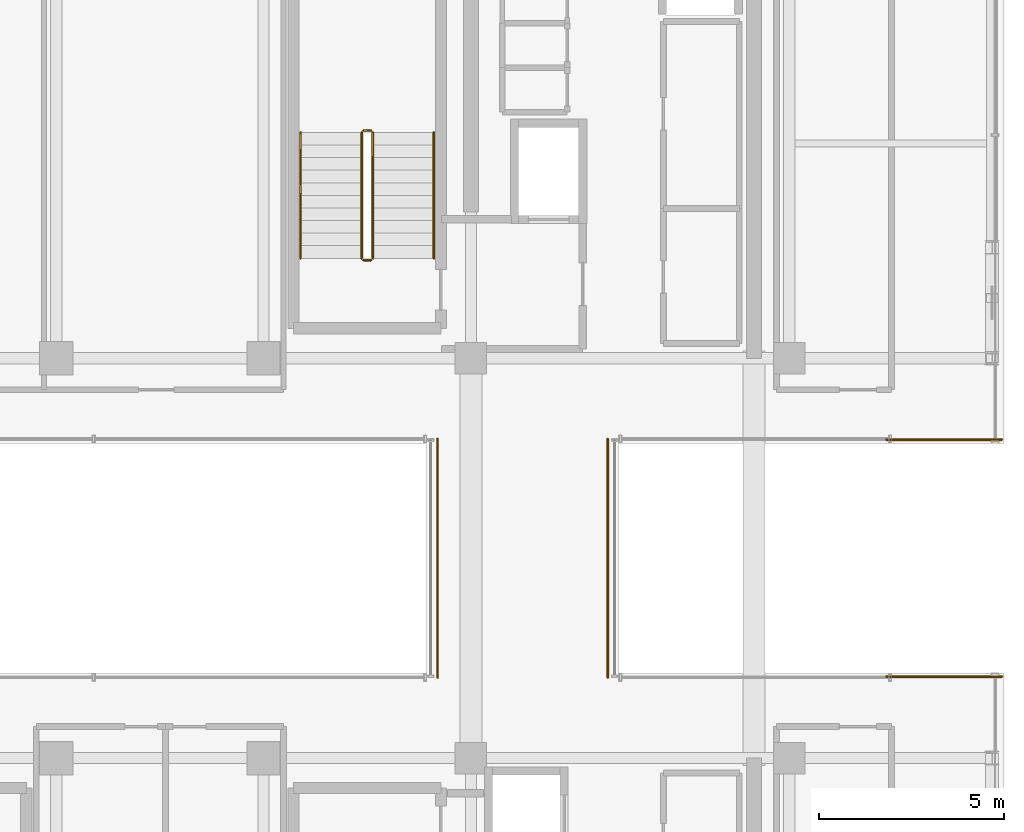
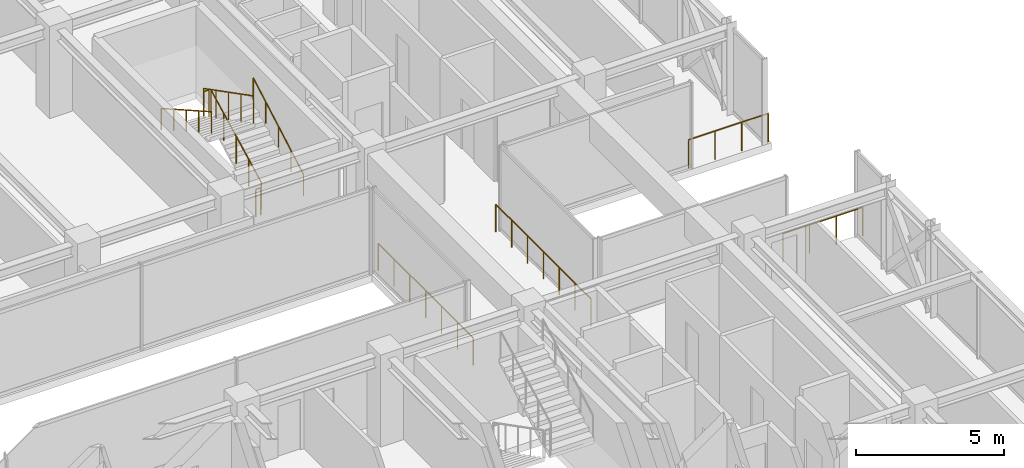
# One storey, part 36 of 37: 10 railings.
"""IFC4 building model written with IfcOpenShell, lengths in metres."""

from ifc_helpers import new_model, si_unit, direction, frame, origin, origin_2d, place, context, subcontext, project, spatial, circle, extrude, material, type_object, element, save


model = new_model("IFC4")

# Units and contexts
model_context = context("Model", 3, precision=1e-05, world=origin(), true_north=direction((0.0, 1.0)))
body_context = subcontext(model_context, "Body", "Model", "MODEL_VIEW")
ifc_project = project(units=[si_unit("LENGTHUNIT", "METRE"), si_unit("AREAUNIT", "SQUARE_METRE"), si_unit("VOLUMEUNIT", "CUBIC_METRE"), si_unit("PLANEANGLEUNIT", "RADIAN"), si_unit("MASSUNIT", "GRAM", prefix="KILO")], contexts=[model_context])

# Site, building, storey
site_placement = place(None, origin())
site = spatial("IfcSite", under=ifc_project, at=site_placement, CompositionType="ELEMENT")
building_placement = place(site_placement, origin())
building = spatial("IfcBuilding", under=site, at=building_placement, Name="Nahalor Promenade Grand Hotel", CompositionType="ELEMENT")
storey_placement = place(building_placement, frame((0.0, 0.0, 292.64990234375)))
storey = spatial("IfcBuildingStorey", under=building, at=storey_placement, Name="L75", CompositionType="ELEMENT", Elevation=292.64990234375)

# Railings
ifc_material_1 = material(Name="Anodised Bronze Aluminium EN AW-6063 T6", Category="aluminium")
railing_type_1 = type_object("IfcRailingType", Name="Bronze Balcony Guardrail 1200 mm", PredefinedType="GUARDRAIL", material=ifc_material_1)
for number, where, name in (
    (1, (19.6201171875, -3.199951171875, 0.0), "L75 Oculus Void Edge Guardrail ES"),
    (2, (19.6201171875, 3.199951171875, 0.0), "L75 Oculus Void Edge Guardrail EN"),
):
    element("IfcRailing", number, at=place(storey_placement, frame(where)), inside=storey, type_object=railing_type_1, Name=name, PredefinedType="GUARDRAIL", context=body_context, shape_type="SweptSolid", body=[
        extrude(circle(Radius=0.024048, at=origin_2d()), frame((0.0, 0.0, 1.17578125), z_axis=(1.0, 0.0, 0.0), x_axis=(0.0, 1.0, 0.0)), (0.0, 0.0, 1.0), 3.119873046875),
        extrude(circle(Radius=0.020996, at=origin_2d()), origin(), (0.0, 0.0, 1.0), 1.14990234375),
        extrude(circle(Radius=0.020996, at=origin_2d()), frame((1.0400390625, 0.0, 0.0)), (0.0, 0.0, 1.0), 1.14990234375),
        extrude(circle(Radius=0.020996, at=origin_2d()), frame((2.079833984375, 0.0, 0.0)), (0.0, 0.0, 1.0), 1.14990234375),
        extrude(circle(Radius=0.020996, at=origin_2d()), frame((3.119873046875, 0.0, 0.0)), (0.0, 0.0, 1.0), 1.14990234375),
    ])
railing_type_2 = type_object("IfcRailingType", Name="Bronze Sky Balustrade 1150 mm", PredefinedType="BALUSTRADE", material=ifc_material_1)
for number, where, name in (
    (3, (7.5, -3.219970703125, 0.0), "BL-L75-BRG-W"),
    (4, (12.10009765625, -3.219970703125, 0.0), "BL-L75-BRG-E"),
):
    element("IfcRailing", number, at=place(storey_placement, frame(where)), inside=storey, type_object=railing_type_2, Name=name, PredefinedType="BALUSTRADE", context=body_context, shape_type="SweptSolid", body=[
        extrude(circle(Radius=0.024048, at=origin_2d()), frame((0.0, 0.0, 1.1259765625), z_axis=(0.0, 1.0, 0.0), x_axis=(-1.0, 0.0, 0.0)), (0.0, 0.0, 1.0), 6.43994140625),
        extrude(circle(Radius=0.020996, at=origin_2d()), origin(), (0.0, 0.0, 1.0), 1.099853515625),
        extrude(circle(Radius=0.020996, at=origin_2d()), frame((0.0, 1.0732421875, 0.0)), (0.0, 0.0, 1.0), 1.099853515625),
        extrude(circle(Radius=0.020996, at=origin_2d()), frame((0.0, 2.146728515625, 0.0)), (0.0, 0.0, 1.0), 1.099853515625),
        extrude(circle(Radius=0.020996, at=origin_2d()), frame((0.0, 3.219970703125, 0.0)), (0.0, 0.0, 1.0), 1.099853515625),
        extrude(circle(Radius=0.020996, at=origin_2d()), frame((0.0, 4.293212890625, 0.0)), (0.0, 0.0, 1.0), 1.099853515625),
        extrude(circle(Radius=0.020996, at=origin_2d()), frame((0.0, 5.36669921875, 0.0)), (0.0, 0.0, 1.0), 1.099853515625),
        extrude(circle(Radius=0.020996, at=origin_2d()), frame((0.0, 6.43994140625, 0.0)), (0.0, 0.0, 1.0), 1.099853515625),
    ])
ifc_material_2 = material(Name="Steel S355JR", Category="steel")
railing_type_3 = type_object("IfcRailingType", Name="Steel Stair Guardrail 1150 mm", PredefinedType="GUARDRAIL", material=ifc_material_2)
railing_1_placement = place(storey_placement, frame((5.75, 8.10009765625, 0.175048828125)))
element("IfcRailing", 5, at=railing_1_placement, inside=storey, type_object=railing_type_3, Name="L75 ST1 stair guard 1", PredefinedType="GUARDRAIL", context=body_context, shape_type="SweptSolid", body=[
    extrude(circle(Radius=0.024048, at=origin_2d()), frame((0.0, 0.0, 1.1259765625), z_axis=(0.0, 0.889130461562, 0.457653823673), x_axis=(-1.0, 0.0, 0.0)), (0.0, 0.0, 1.0), 3.82373046875),
    extrude(circle(Radius=0.020996, at=origin_2d()), origin(), (0.0, 0.0, 1.0), 1.099853515625),
    extrude(circle(Radius=0.020996, at=origin_2d()), frame((0.0, 0.85009765625, 0.4375)), (0.0, 0.0, 1.0), 1.099853515625),
    extrude(circle(Radius=0.020996, at=origin_2d()), frame((0.0, 1.699951171875, 0.875)), (0.0, 0.0, 1.0), 1.099853515625),
    extrude(circle(Radius=0.020996, at=origin_2d()), frame((0.0, 2.5498046875, 1.3125)), (0.0, 0.0, 1.0), 1.099853515625),
    extrude(circle(Radius=0.020996, at=origin_2d()), frame((0.0, 3.39990234375, 1.75)), (0.0, 0.0, 1.0), 1.099853515625),
])
railing_2_placement = place(storey_placement, frame((5.699951171875, 11.550048828125, 1.925048828125)))
element("IfcRailing", 6, at=railing_2_placement, inside=storey, type_object=railing_type_3, Name="L75 ST1 stair guard 2", PredefinedType="GUARDRAIL", context=body_context, shape_type="SweptSolid", body=[
    extrude(circle(Radius=0.024048, at=origin_2d()), frame((0.0, 0.0, 1.1259765625), z_axis=(-1.0, 0.0, 0.0), x_axis=(0.0, -1.0, 0.0)), (0.0, 0.0, 1.0), 0.199951171875),
    extrude(circle(Radius=0.020996, at=origin_2d()), origin(), (0.0, 0.0, 1.0), 1.099853515625),
    extrude(circle(Radius=0.020996, at=origin_2d()), frame((-0.199951171875, 0.0, 0.0)), (0.0, 0.0, 1.0), 1.099853515625),
])
railing_3_placement = place(storey_placement, frame((5.449951171875, 11.5, 2.10009765625)))
element("IfcRailing", 7, at=railing_3_placement, inside=storey, type_object=railing_type_3, Name="L75 ST1 stair guard 3", PredefinedType="GUARDRAIL", context=body_context, shape_type="SweptSolid", body=[
    extrude(circle(Radius=0.024048, at=origin_2d()), frame((0.0, 0.0, 1.1259765625), z_axis=(0.0, -0.889130461562, 0.457653823673), x_axis=(1.0, 0.0, 0.0)), (0.0, 0.0, 1.0), 3.82373046875),
    extrude(circle(Radius=0.020996, at=origin_2d()), origin(), (0.0, 0.0, 1.0), 1.099853515625),
    extrude(circle(Radius=0.020996, at=origin_2d()), frame((0.0, -0.85009765625, 0.4375)), (0.0, 0.0, 1.0), 1.099853515625),
    extrude(circle(Radius=0.020996, at=origin_2d()), frame((0.0, -1.699951171875, 0.875)), (0.0, 0.0, 1.0), 1.099853515625),
    extrude(circle(Radius=0.020996, at=origin_2d()), frame((0.0, -2.5498046875, 1.3125)), (0.0, 0.0, 1.0), 1.099853515625),
    extrude(circle(Radius=0.020996, at=origin_2d()), frame((0.0, -3.39990234375, 1.75)), (0.0, 0.0, 1.0), 1.099853515625),
])
railing_4_placement = place(storey_placement, frame((5.699951171875, 8.050048828125, 0.0)))
element("IfcRailing", 8, at=railing_4_placement, inside=storey, type_object=railing_type_3, Name="L75 ST1 stair guard 4", PredefinedType="GUARDRAIL", context=body_context, shape_type="SweptSolid", body=[
    extrude(circle(Radius=0.024048, at=origin_2d()), frame((0.0, 0.0, 1.1259765625), z_axis=(-1.0, 0.0, 0.0), x_axis=(0.0, -1.0, 0.0)), (0.0, 0.0, 1.0), 0.199951171875),
    extrude(circle(Radius=0.020996, at=origin_2d()), origin(), (0.0, 0.0, 1.0), 1.099853515625),
    extrude(circle(Radius=0.020996, at=origin_2d()), frame((-0.199951171875, 0.0, 0.0)), (0.0, 0.0, 1.0), 1.099853515625),
])
railing_type_4 = type_object("IfcRailingType", Name="Steel Stair Handrail 900 mm", PredefinedType="HANDRAIL", material=ifc_material_2)
railing_5_placement = place(storey_placement, frame((7.39990234375, 8.10009765625, 0.175048828125)))
element("IfcRailing", 9, at=railing_5_placement, inside=storey, type_object=railing_type_4, Name="L75 ST1 stair handrail 1", PredefinedType="HANDRAIL", context=body_context, shape_type="SweptSolid", body=[
    extrude(circle(Radius=0.024048, at=origin_2d()), frame((0.0, 0.0, 0.8759765625), z_axis=(0.0, 0.870193670192, 0.492709829776), x_axis=(-1.0, 0.0, 0.0)), (0.0, 0.0, 1.0), 3.906982421875),
    extrude(circle(Radius=0.020996, at=origin_2d()), origin(), (0.0, 0.0, 1.0), 0.849853515625),
    extrude(circle(Radius=0.020996, at=origin_2d()), frame((0.0, 0.85009765625, 0.481201171875)), (0.0, 0.0, 1.0), 0.849853515625),
    extrude(circle(Radius=0.020996, at=origin_2d()), frame((0.0, 1.699951171875, 0.96240234375)), (0.0, 0.0, 1.0), 0.849853515625),
    extrude(circle(Radius=0.020996, at=origin_2d()), frame((0.0, 2.5498046875, 1.44384765625)), (0.0, 0.0, 1.0), 0.849853515625),
    extrude(circle(Radius=0.020996, at=origin_2d()), frame((0.0, 3.39990234375, 1.925048828125)), (0.0, 0.0, 1.0), 0.849853515625),
])
railing_6_placement = place(storey_placement, frame((3.800048828125, 11.5, 2.10009765625)))
element("IfcRailing", 10, at=railing_6_placement, inside=storey, type_object=railing_type_4, Name="L75 ST1 stair handrail 2", PredefinedType="HANDRAIL", context=body_context, shape_type="SweptSolid", body=[
    extrude(circle(Radius=0.024048, at=origin_2d()), frame((0.0, 0.0, 0.8759765625), z_axis=(0.0, -0.870193670192, 0.492709829776), x_axis=(1.0, 0.0, 0.0)), (0.0, 0.0, 1.0), 3.906982421875),
    extrude(circle(Radius=0.020996, at=origin_2d()), origin(), (0.0, 0.0, 1.0), 0.849853515625),
    extrude(circle(Radius=0.020996, at=origin_2d()), frame((0.0, -0.85009765625, 0.481201171875)), (0.0, 0.0, 1.0), 0.849853515625),
    extrude(circle(Radius=0.020996, at=origin_2d()), frame((0.0, -1.699951171875, 0.96240234375)), (0.0, 0.0, 1.0), 0.849853515625),
    extrude(circle(Radius=0.020996, at=origin_2d()), frame((0.0, -2.5498046875, 1.44384765625)), (0.0, 0.0, 1.0), 0.849853515625),
    extrude(circle(Radius=0.020996, at=origin_2d()), frame((0.0, -3.39990234375, 1.925048828125)), (0.0, 0.0, 1.0), 0.849853515625),
])

save(model, "model.ifc")
